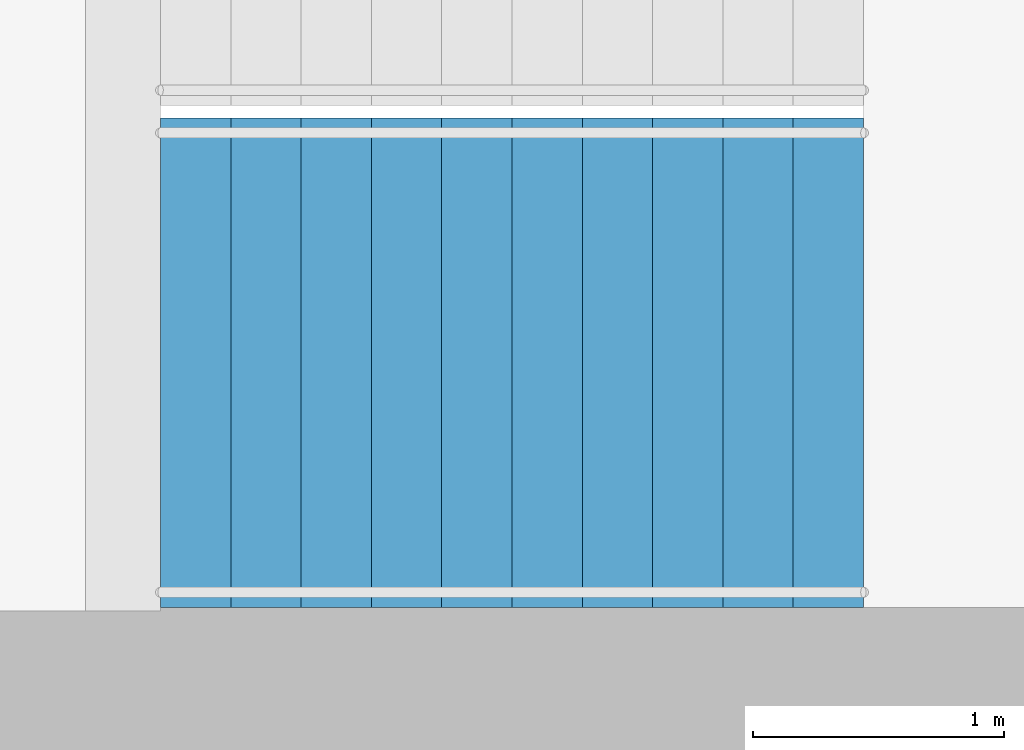
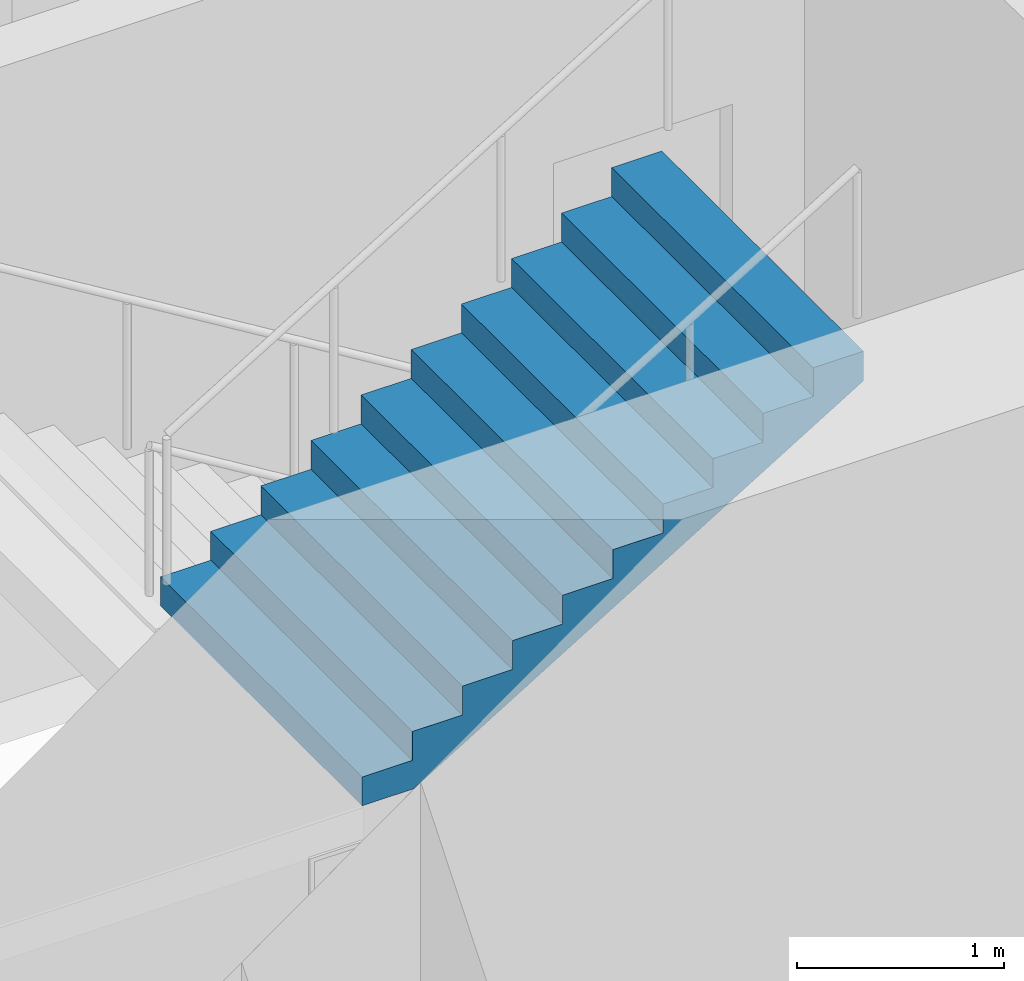
# One storey, part 21 of 23: 1 stair flight, 1 element without a shape of its own.
"""IFC4 building model written with IfcOpenShell, lengths in metres."""

from ifc_helpers import new_model, si_unit, direction, frame, origin, place, context, subcontext, project, spatial, triangles, material, type_object, element, aggregate, save


model = new_model("IFC4")

# Units and contexts
model_context = context("Model", 3, precision=1e-05, world=origin(), true_north=direction((0.0, 1.0)))
body_context = subcontext(model_context, "Body", "Model", "MODEL_VIEW")
ifc_project = project(units=[si_unit("LENGTHUNIT", "METRE"), si_unit("AREAUNIT", "SQUARE_METRE"), si_unit("VOLUMEUNIT", "CUBIC_METRE"), si_unit("PLANEANGLEUNIT", "RADIAN"), si_unit("MASSUNIT", "GRAM", prefix="KILO")], contexts=[model_context])

# Site, building, storey
site_placement = place(None, origin())
site = spatial("IfcSite", under=ifc_project, at=site_placement, CompositionType="ELEMENT")
building_placement = place(site_placement, origin())
building = spatial("IfcBuilding", under=site, at=building_placement, Name="Orbita Commons", CompositionType="ELEMENT")
storey_placement = place(building_placement, frame((0.0, 0.0, 65.199951171875)))
storey = spatial("IfcBuildingStorey", under=building, at=storey_placement, Name="L16", CompositionType="ELEMENT", Elevation=65.199951171875)

# Stair, stair flight
ifc_material_1 = material(Name="Precast concrete C40/50", Category="concrete")
stair_type = type_object("IfcStairType", Name="Exit stair S2 2 flights 11 risers 170", PredefinedType="HALF_TURN_STAIR", material=ifc_material_1)
stair_placement = place(storey_placement, origin())
stair = element("IfcStair", 1, at=stair_placement, inside=storey, type_object=stair_type, Name="Exit stair S2 L16", PredefinedType="HALF_TURN_STAIR")
ifc_material_2 = material(Name="Precast concrete C40/50", Category="concrete")
stair_flight_type = type_object("IfcStairFlightType", Name="Stair flight 11 risers 170 x 280", PredefinedType="STRAIGHT", material=ifc_material_2)
stair_flight_placement = place(storey_placement, frame((60.75, 27.27490234375, 1.875), z_axis=(0.0, 0.0, 1.0), x_axis=(1.0, 0.0, 0.0)))
stair_flight = element("IfcStairFlight", 2, at=stair_flight_placement, type_object=stair_flight_type, Name="S2 flight 2", NumberOfRisers=11, NumberOfTreads=10, PredefinedType="STRAIGHT", RiserHeight=0.170454545, TreadLength=0.28, context=body_context, shape_type="Tessellation", body=[
    triangles([(0.0, 0.974976, 0.0), (0.0, 0.974976, 0.021307), (0.0, 0.81248, 0.021307), (0.0, 0.81248, 0.0), (0.0, 0.649984, 0.021307), (0.0, 0.649984, 0.0), (0.0, 0.487488, 0.021307), (0.0, 0.487488, 0.0), (0.0, 0.324992, 0.021307), (0.0, 0.324992, 0.0), (0.0, 0.162496, 0.021307), (0.0, 0.162496, 0.0), (0.0, 0.0, 0.021307), (0.0, 0.0, 0.0), (0.0, -0.162496, 0.021307), (0.0, -0.162496, 0.0), (0.0, -0.324992, 0.021307), (0.0, -0.324992, 0.0), (0.0, -0.487488, 0.021307), (0.0, -0.487488, 0.0), (0.0, -0.649984, 0.021307), (0.0, -0.649984, 0.0), (0.0, -0.81248, 0.021307), (0.0, -0.81248, 0.0), (0.0, -0.974976, 0.021307), (0.0, -0.974976, 0.0), (0.0, 0.974976, 0.042614), (0.0, 0.81248, 0.042614), (0.0, 0.649984, 0.042614), (0.0, 0.487488, 0.042614), (0.0, 0.324992, 0.042614), (0.0, 0.162496, 0.042614), (0.0, 0.0, 0.042614), (0.0, -0.162496, 0.042614), (0.0, -0.324992, 0.042614), (0.0, -0.487488, 0.042614), (0.0, -0.649984, 0.042614), (0.0, -0.81248, 0.042614), (0.0, -0.974976, 0.042614), (0.0, 0.974976, 0.06392), (0.0, 0.81248, 0.06392), (0.0, 0.649984, 0.06392), (0.0, 0.487488, 0.06392), (0.0, 0.324992, 0.06392), (0.0, 0.162496, 0.06392), (0.0, 0.0, 0.06392), (0.0, -0.162496, 0.06392), (0.0, -0.324992, 0.06392), (0.0, -0.487488, 0.06392), (0.0, -0.649984, 0.06392), (0.0, -0.81248, 0.06392), (0.0, -0.974976, 0.06392), (0.0, 0.974976, 0.085227), (0.0, 0.81248, 0.085227), (0.0, 0.649984, 0.085227), (0.0, 0.487488, 0.085227), (0.0, 0.324992, 0.085227), (0.0, 0.162496, 0.085227), (0.0, 0.0, 0.085227), (0.0, -0.162496, 0.085227), (0.0, -0.324992, 0.085227), (0.0, -0.487488, 0.085227), (0.0, -0.649984, 0.085227), (0.0, -0.81248, 0.085227), (0.0, -0.974976, 0.085227), (0.0, 0.974976, 0.106534), (0.0, 0.81248, 0.106534), (0.0, 0.649984, 0.106534), (0.0, 0.487488, 0.106534), (0.0, 0.324992, 0.106534), (0.0, 0.162496, 0.106534), (0.0, 0.0, 0.106534), (0.0, -0.162496, 0.106534), (0.0, -0.324992, 0.106534), (0.0, -0.487488, 0.106534), (0.0, -0.649984, 0.106534), (0.0, -0.81248, 0.106534), (0.0, -0.974976, 0.106534), (0.0, 0.974976, 0.127841), (0.0, 0.81248, 0.127841), (0.0, 0.649984, 0.127841), (0.0, 0.487488, 0.127841), (0.0, 0.324992, 0.127841), (0.0, 0.162496, 0.127841), (0.0, 0.0, 0.127841), (0.0, -0.162496, 0.127841), (0.0, -0.324992, 0.127841), (0.0, -0.487488, 0.127841), (0.0, -0.649984, 0.127841), (0.0, -0.81248, 0.127841), (0.0, -0.974976, 0.127841), (0.0, 0.974976, 0.149148), (0.0, 0.81248, 0.149148), (0.0, 0.649984, 0.149148), (0.0, 0.487488, 0.149148), (0.0, 0.324992, 0.149148), (0.0, 0.162496, 0.149148), (0.0, 0.0, 0.149148), (0.0, -0.162496, 0.149148), (0.0, -0.324992, 0.149148), (0.0, -0.487488, 0.149148), (0.0, -0.649984, 0.149148), (0.0, -0.81248, 0.149148), (0.0, -0.974976, 0.149148), (0.0, 0.974976, 0.170455), (0.0, 0.81248, 0.170455), (0.0, 0.649984, 0.170455), (0.0, 0.487488, 0.170455), (0.0, 0.324992, 0.170455), (0.0, 0.162496, 0.170455), (0.0, 0.0, 0.170455), (0.0, -0.162496, 0.170455), (0.0, -0.324992, 0.170455), (0.0, -0.487488, 0.170455), (0.0, -0.649984, 0.170455), (0.0, -0.81248, 0.170455), (0.0, -0.974976, 0.170455), (0.28, 0.974976, 0.170455), (0.28, 0.81248, 0.170455), (0.28, 0.649984, 0.170455), (0.28, 0.487488, 0.170455), (0.28, 0.324992, 0.170455), (0.28, 0.162496, 0.170455), (0.28, 0.0, 0.170455), (0.28, -0.162496, 0.170455), (0.28, -0.324992, 0.170455), (0.28, -0.487488, 0.170455), (0.28, -0.649984, 0.170455), (0.28, -0.81248, 0.170455), (0.28, -0.974976, 0.170455), (0.28, 0.974976, 0.340909), (0.28, 0.81248, 0.340909), (0.28, 0.649984, 0.340909), (0.28, 0.487488, 0.340909), (0.28, 0.324992, 0.340909), (0.28, 0.162496, 0.340909), (0.28, 0.0, 0.340909), (0.28, -0.162496, 0.340909), (0.28, -0.324992, 0.340909), (0.28, -0.487488, 0.340909), (0.28, -0.649984, 0.340909), (0.28, -0.81248, 0.340909), (0.28, -0.974976, 0.340909), (0.56, 0.974976, 0.340909), (0.56, 0.81248, 0.340909), (0.56, 0.649984, 0.340909), (0.56, 0.487488, 0.340909), (0.56, 0.324992, 0.340909), (0.56, 0.162496, 0.340909), (0.56, 0.0, 0.340909), (0.56, -0.162496, 0.340909), (0.56, -0.324992, 0.340909), (0.56, -0.487488, 0.340909), (0.56, -0.649984, 0.340909), (0.56, -0.81248, 0.340909), (0.56, -0.974976, 0.340909), (0.56, 0.974976, 0.511364), (0.56, 0.81248, 0.511364), (0.56, 0.649984, 0.511364), (0.56, 0.487488, 0.511364), (0.56, 0.324992, 0.511364), (0.56, 0.162496, 0.511364), (0.56, 0.0, 0.511364), (0.56, -0.162496, 0.511364), (0.56, -0.324992, 0.511364), (0.56, -0.487488, 0.511364), (0.56, -0.649984, 0.511364), (0.56, -0.81248, 0.511364), (0.56, -0.974976, 0.511364), (0.84, 0.974976, 0.511364), (0.84, 0.81248, 0.511364), (0.84, 0.649984, 0.511364), (0.84, 0.487488, 0.511364), (0.84, 0.324992, 0.511364), (0.84, 0.162496, 0.511364), (0.84, 0.0, 0.511364), (0.84, -0.162496, 0.511364), (0.84, -0.324992, 0.511364), (0.84, -0.487488, 0.511364), (0.84, -0.649984, 0.511364), (0.84, -0.81248, 0.511364), (0.84, -0.974976, 0.511364), (0.84, 0.974976, 0.681818), (0.84, 0.81248, 0.681818), (0.84, 0.649984, 0.681818), (0.84, 0.487488, 0.681818), (0.84, 0.324992, 0.681818), (0.84, 0.162496, 0.681818), (0.84, 0.0, 0.681818), (0.84, -0.162496, 0.681818), (0.84, -0.324992, 0.681818), (0.84, -0.487488, 0.681818), (0.84, -0.649984, 0.681818), (0.84, -0.81248, 0.681818), (0.84, -0.974976, 0.681818), (1.12, 0.974976, 0.681818), (1.12, 0.81248, 0.681818), (1.12, 0.649984, 0.681818), (1.12, 0.487488, 0.681818), (1.12, 0.324992, 0.681818), (1.12, 0.162496, 0.681818), (1.12, 0.0, 0.681818), (1.12, -0.162496, 0.681818), (1.12, -0.324992, 0.681818), (1.12, -0.487488, 0.681818), (1.12, -0.649984, 0.681818), (1.12, -0.81248, 0.681818), (1.12, -0.974976, 0.681818), (1.12, 0.974976, 0.852273), (1.12, 0.81248, 0.852273), (1.12, 0.649984, 0.852273), (1.12, 0.487488, 0.852273), (1.12, 0.324992, 0.852273), (1.12, 0.162496, 0.852273), (1.12, 0.0, 0.852273), (1.12, -0.162496, 0.852273), (1.12, -0.324992, 0.852273), (1.12, -0.487488, 0.852273), (1.12, -0.649984, 0.852273), (1.12, -0.81248, 0.852273), (1.12, -0.974976, 0.852273), (1.4, 0.974976, 0.852273), (1.4, 0.81248, 0.852273), (1.4, 0.649984, 0.852273), (1.4, 0.487488, 0.852273), (1.4, 0.324992, 0.852273), (1.4, 0.162496, 0.852273), (1.4, 0.0, 0.852273), (1.4, -0.162496, 0.852273), (1.4, -0.324992, 0.852273), (1.4, -0.487488, 0.852273), (1.4, -0.649984, 0.852273), (1.4, -0.81248, 0.852273), (1.4, -0.974976, 0.852273), (1.4, 0.974976, 1.022727), (1.4, 0.81248, 1.022727), (1.4, 0.649984, 1.022727), (1.4, 0.487488, 1.022727), (1.4, 0.324992, 1.022727), (1.4, 0.162496, 1.022727), (1.4, 0.0, 1.022727), (1.4, -0.162496, 1.022727), (1.4, -0.324992, 1.022727), (1.4, -0.487488, 1.022727), (1.4, -0.649984, 1.022727), (1.4, -0.81248, 1.022727), (1.4, -0.974976, 1.022727), (1.68, 0.974976, 1.022727), (1.68, 0.81248, 1.022727), (1.68, 0.649984, 1.022727), (1.68, 0.487488, 1.022727), (1.68, 0.324992, 1.022727), (1.68, 0.162496, 1.022727), (1.68, 0.0, 1.022727), (1.68, -0.162496, 1.022727), (1.68, -0.324992, 1.022727), (1.68, -0.487488, 1.022727), (1.68, -0.649984, 1.022727), (1.68, -0.81248, 1.022727), (1.68, -0.974976, 1.022727), (1.68, 0.974976, 1.193182), (1.68, 0.81248, 1.193182), (1.68, 0.649984, 1.193182), (1.68, 0.487488, 1.193182), (1.68, 0.324992, 1.193182), (1.68, 0.162496, 1.193182), (1.68, 0.0, 1.193182), (1.68, -0.162496, 1.193182), (1.68, -0.324992, 1.193182), (1.68, -0.487488, 1.193182), (1.68, -0.649984, 1.193182), (1.68, -0.81248, 1.193182), (1.68, -0.974976, 1.193182), (1.96, 0.974976, 1.193182), (1.96, 0.81248, 1.193182), (1.96, 0.649984, 1.193182), (1.96, 0.487488, 1.193182), (1.96, 0.324992, 1.193182), (1.96, 0.162496, 1.193182), (1.96, 0.0, 1.193182), (1.96, -0.162496, 1.193182), (1.96, -0.324992, 1.193182), (1.96, -0.487488, 1.193182), (1.96, -0.649984, 1.193182), (1.96, -0.81248, 1.193182), (1.96, -0.974976, 1.193182), (1.96, 0.974976, 1.363636), (1.96, 0.81248, 1.363636), (1.96, 0.649984, 1.363636), (1.96, 0.487488, 1.363636), (1.96, 0.324992, 1.363636), (1.96, 0.162496, 1.363636), (1.96, 0.0, 1.363636), (1.96, -0.162496, 1.363636), (1.96, -0.324992, 1.363636), (1.96, -0.487488, 1.363636), (1.96, -0.649984, 1.363636), (1.96, -0.81248, 1.363636), (1.96, -0.974976, 1.363636), (2.24, 0.974976, 1.363636), (2.24, 0.81248, 1.363636), (2.24, 0.649984, 1.363636), (2.24, 0.487488, 1.363636), (2.24, 0.324992, 1.363636), (2.24, 0.162496, 1.363636), (2.24, 0.0, 1.363636), (2.24, -0.162496, 1.363636), (2.24, -0.324992, 1.363636), (2.24, -0.487488, 1.363636), (2.24, -0.649984, 1.363636), (2.24, -0.81248, 1.363636), (2.24, -0.974976, 1.363636), (2.24, 0.974976, 1.534091), (2.24, 0.81248, 1.534091), (2.24, 0.649984, 1.534091), (2.24, 0.487488, 1.534091), (2.24, 0.324992, 1.534091), (2.24, 0.162496, 1.534091), (2.24, 0.0, 1.534091), (2.24, -0.162496, 1.534091), (2.24, -0.324992, 1.534091), (2.24, -0.487488, 1.534091), (2.24, -0.649984, 1.534091), (2.24, -0.81248, 1.534091), (2.24, -0.974976, 1.534091), (2.52, 0.974976, 1.534091), (2.52, 0.81248, 1.534091), (2.52, 0.649984, 1.534091), (2.52, 0.487488, 1.534091), (2.52, 0.324992, 1.534091), (2.52, 0.162496, 1.534091), (2.52, 0.0, 1.534091), (2.52, -0.162496, 1.534091), (2.52, -0.324992, 1.534091), (2.52, -0.487488, 1.534091), (2.52, -0.649984, 1.534091), (2.52, -0.81248, 1.534091), (2.52, -0.974976, 1.534091), (2.52, 0.974976, 1.704545), (2.52, 0.81248, 1.704545), (2.52, 0.649984, 1.704545), (2.52, 0.487488, 1.704545), (2.52, 0.324992, 1.704545), (2.52, 0.162496, 1.704545), (2.52, 0.0, 1.704545), (2.52, -0.162496, 1.704545), (2.52, -0.324992, 1.704545), (2.52, -0.487488, 1.704545), (2.52, -0.649984, 1.704545), (2.52, -0.81248, 1.704545), (2.52, -0.974976, 1.704545), (2.8, 0.974976, 1.704545), (2.8, 0.81248, 1.704545), (2.8, 0.649984, 1.704545), (2.8, 0.487488, 1.704545), (2.8, 0.324992, 1.704545), (2.8, 0.162496, 1.704545), (2.8, 0.0, 1.704545), (2.8, -0.162496, 1.704545), (2.8, -0.324992, 1.704545), (2.8, -0.487488, 1.704545), (2.8, -0.649984, 1.704545), (2.8, -0.81248, 1.704545), (2.8, -0.974976, 1.704545), (2.8, 0.974976, 1.682609), (2.8, 0.81248, 1.682609), (2.8, 0.649984, 1.682609), (2.8, 0.487488, 1.682609), (2.8, 0.324992, 1.682609), (2.8, 0.162496, 1.682609), (2.8, 0.0, 1.682609), (2.8, -0.162496, 1.682609), (2.8, -0.324992, 1.682609), (2.8, -0.487488, 1.682609), (2.8, -0.649984, 1.682609), (2.8, -0.81248, 1.682609), (2.8, -0.974976, 1.682609), (2.8, 0.974976, 1.660672), (2.8, 0.81248, 1.660672), (2.8, 0.649984, 1.660672), (2.8, 0.487488, 1.660672), (2.8, 0.324992, 1.660672), (2.8, 0.162496, 1.660672), (2.8, 0.0, 1.660672), (2.8, -0.162496, 1.660672), (2.8, -0.324992, 1.660672), (2.8, -0.487488, 1.660672), (2.8, -0.649984, 1.660672), (2.8, -0.81248, 1.660672), (2.8, -0.974976, 1.660672), (2.8, 0.974976, 1.638735), (2.8, 0.81248, 1.638735), (2.8, 0.649984, 1.638735), (2.8, 0.487488, 1.638735), (2.8, 0.324992, 1.638735), (2.8, 0.162496, 1.638735), (2.8, 0.0, 1.638735), (2.8, -0.162496, 1.638735), (2.8, -0.324992, 1.638735), (2.8, -0.487488, 1.638735), (2.8, -0.649984, 1.638735), (2.8, -0.81248, 1.638735), (2.8, -0.974976, 1.638735), (2.8, 0.974976, 1.616798), (2.8, 0.81248, 1.616798), (2.8, 0.649984, 1.616798), (2.8, 0.487488, 1.616798), (2.8, 0.324992, 1.616798), (2.8, 0.162496, 1.616798), (2.8, 0.0, 1.616798), (2.8, -0.162496, 1.616798), (2.8, -0.324992, 1.616798), (2.8, -0.487488, 1.616798), (2.8, -0.649984, 1.616798), (2.8, -0.81248, 1.616798), (2.8, -0.974976, 1.616798), (2.8, 0.974976, 1.594861), (2.8, 0.81248, 1.594861), (2.8, 0.649984, 1.594861), (2.8, 0.487488, 1.594861), (2.8, 0.324992, 1.594861), (2.8, 0.162496, 1.594861), (2.8, 0.0, 1.594861), (2.8, -0.162496, 1.594861), (2.8, -0.324992, 1.594861), (2.8, -0.487488, 1.594861), (2.8, -0.649984, 1.594861), (2.8, -0.81248, 1.594861), (2.8, -0.974976, 1.594861), (2.8, 0.974976, 1.572925), (2.8, 0.81248, 1.572925), (2.8, 0.649984, 1.572925), (2.8, 0.487488, 1.572925), (2.8, 0.324992, 1.572925), (2.8, 0.162496, 1.572925), (2.8, 0.0, 1.572925), (2.8, -0.162496, 1.572925), (2.8, -0.324992, 1.572925), (2.8, -0.487488, 1.572925), (2.8, -0.649984, 1.572925), (2.8, -0.81248, 1.572925), (2.8, -0.974976, 1.572925), (2.8, 0.974976, 1.550988), (2.8, 0.81248, 1.550988), (2.8, 0.649984, 1.550988), (2.8, 0.487488, 1.550988), (2.8, 0.324992, 1.550988), (2.8, 0.162496, 1.550988), (2.8, 0.0, 1.550988), (2.8, -0.162496, 1.550988), (2.8, -0.324992, 1.550988), (2.8, -0.487488, 1.550988), (2.8, -0.649984, 1.550988), (2.8, -0.81248, 1.550988), (2.8, -0.974976, 1.550988), (2.8, 0.974976, 1.529051), (2.8, 0.81248, 1.529051), (2.8, 0.649984, 1.529051), (2.8, 0.487488, 1.529051), (2.8, 0.324992, 1.529051), (2.8, 0.162496, 1.529051), (2.8, 0.0, 1.529051), (2.8, -0.162496, 1.529051), (2.8, -0.324992, 1.529051), (2.8, -0.487488, 1.529051), (2.8, -0.649984, 1.529051), (2.8, -0.81248, 1.529051), (2.8, -0.974976, 1.529051), (0.288279, 0.974976, 0.0), (0.288279, 0.81248, 0.0), (0.288279, 0.649984, 0.0), (0.288279, 0.487488, 0.0), (0.288279, 0.324992, 0.0), (0.288279, 0.162496, 0.0), (0.288279, 0.0, 0.0), (0.288279, -0.162496, 0.0), (0.288279, -0.324992, 0.0), (0.288279, -0.487488, 0.0), (0.288279, -0.649984, 0.0), (0.288279, -0.81248, 0.0), (0.288279, -0.974976, 0.0)], [[3, 2, 1], [4, 3, 1], [5, 3, 4], [6, 5, 4], [7, 5, 6], [8, 7, 6], [9, 7, 8], [10, 9, 8], [11, 9, 10], [12, 11, 10], [13, 11, 12], [14, 13, 12], [15, 13, 14], [16, 15, 14], [17, 15, 16], [18, 17, 16], [19, 17, 18], [20, 19, 18], [21, 19, 20], [22, 21, 20], [23, 21, 22], [24, 23, 22], [25, 23, 24], [26, 25, 24], [28, 27, 2], [3, 28, 2], [29, 28, 3], [5, 29, 3], [30, 29, 5], [7, 30, 5], [31, 30, 7], [9, 31, 7], [32, 31, 9], [11, 32, 9], [33, 32, 11], [13, 33, 11], [34, 33, 13], [15, 34, 13], [35, 34, 15], [17, 35, 15], [36, 35, 17], [19, 36, 17], [37, 36, 19], [21, 37, 19], [38, 37, 21], [23, 38, 21], [39, 38, 23], [25, 39, 23], [41, 40, 27], [28, 41, 27], [42, 41, 28], [29, 42, 28], [43, 42, 29], [30, 43, 29], [44, 43, 30], [31, 44, 30], [45, 44, 31], [32, 45, 31], [46, 45, 32], [33, 46, 32], [47, 46, 33], [34, 47, 33], [48, 47, 34], [35, 48, 34], [49, 48, 35], [36, 49, 35], [50, 49, 36], [37, 50, 36], [51, 50, 37], [38, 51, 37], [52, 51, 38], [39, 52, 38], [54, 53, 40], [41, 54, 40], [55, 54, 41], [42, 55, 41], [56, 55, 42], [43, 56, 42], [57, 56, 43], [44, 57, 43], [58, 57, 44], [45, 58, 44], [59, 58, 45], [46, 59, 45], [60, 59, 46], [47, 60, 46], [61, 60, 47], [48, 61, 47], [62, 61, 48], [49, 62, 48], [63, 62, 49], [50, 63, 49], [64, 63, 50], [51, 64, 50], [65, 64, 51], [52, 65, 51], [67, 66, 53], [54, 67, 53], [68, 67, 54], [55, 68, 54], [69, 68, 55], [56, 69, 55], [70, 69, 56], [57, 70, 56], [71, 70, 57], [58, 71, 57], [72, 71, 58], [59, 72, 58], [73, 72, 59], [60, 73, 59], [74, 73, 60], [61, 74, 60], [75, 74, 61], [62, 75, 61], [76, 75, 62], [63, 76, 62], [77, 76, 63], [64, 77, 63], [78, 77, 64], [65, 78, 64], [80, 79, 66], [67, 80, 66], [81, 80, 67], [68, 81, 67], [82, 81, 68], [69, 82, 68], [83, 82, 69], [70, 83, 69], [84, 83, 70], [71, 84, 70], [85, 84, 71], [72, 85, 71], [86, 85, 72], [73, 86, 72], [87, 86, 73], [74, 87, 73], [88, 87, 74], [75, 88, 74], [89, 88, 75], [76, 89, 75], [90, 89, 76], [77, 90, 76], [91, 90, 77], [78, 91, 77], [93, 92, 79], [80, 93, 79], [94, 93, 80], [81, 94, 80], [95, 94, 81], [82, 95, 81], [96, 95, 82], [83, 96, 82], [97, 96, 83], [84, 97, 83], [98, 97, 84], [85, 98, 84], [99, 98, 85], [86, 99, 85], [100, 99, 86], [87, 100, 86], [101, 100, 87], [88, 101, 87], [102, 101, 88], [89, 102, 88], [103, 102, 89], [90, 103, 89], [104, 103, 90], [91, 104, 90], [106, 105, 92], [93, 106, 92], [107, 106, 93], [94, 107, 93], [108, 107, 94], [95, 108, 94], [109, 108, 95], [96, 109, 95], [110, 109, 96], [97, 110, 96], [111, 110, 97], [98, 111, 97], [112, 111, 98], [99, 112, 98], [113, 112, 99], [100, 113, 99], [114, 113, 100], [101, 114, 100], [115, 114, 101], [102, 115, 101], [116, 115, 102], [103, 116, 102], [117, 116, 103], [104, 117, 103], [119, 118, 105], [106, 119, 105], [120, 119, 106], [107, 120, 106], [121, 120, 107], [108, 121, 107], [122, 121, 108], [109, 122, 108], [123, 122, 109], [110, 123, 109], [124, 123, 110], [111, 124, 110], [125, 124, 111], [112, 125, 111], [126, 125, 112], [113, 126, 112], [127, 126, 113], [114, 127, 113], [128, 127, 114], [115, 128, 114], [129, 128, 115], [116, 129, 115], [130, 129, 116], [117, 130, 116], [132, 131, 118], [119, 132, 118], [133, 132, 119], [120, 133, 119], [134, 133, 120], [121, 134, 120], [135, 134, 121], [122, 135, 121], [136, 135, 122], [123, 136, 122], [137, 136, 123], [124, 137, 123], [138, 137, 124], [125, 138, 124], [139, 138, 125], [126, 139, 125], [140, 139, 126], [127, 140, 126], [141, 140, 127], [128, 141, 127], [142, 141, 128], [129, 142, 128], [143, 142, 129], [130, 143, 129], [145, 144, 131], [132, 145, 131], [146, 145, 132], [133, 146, 132], [147, 146, 133], [134, 147, 133], [148, 147, 134], [135, 148, 134], [149, 148, 135], [136, 149, 135], [150, 149, 136], [137, 150, 136], [151, 150, 137], [138, 151, 137], [152, 151, 138], [139, 152, 138], [153, 152, 139], [140, 153, 139], [154, 153, 140], [141, 154, 140], [155, 154, 141], [142, 155, 141], [156, 155, 142], [143, 156, 142], [158, 157, 144], [145, 158, 144], [159, 158, 145], [146, 159, 145], [160, 159, 146], [147, 160, 146], [161, 160, 147], [148, 161, 147], [162, 161, 148], [149, 162, 148], [163, 162, 149], [150, 163, 149], [164, 163, 150], [151, 164, 150], [165, 164, 151], [152, 165, 151], [166, 165, 152], [153, 166, 152], [167, 166, 153], [154, 167, 153], [168, 167, 154], [155, 168, 154], [169, 168, 155], [156, 169, 155], [171, 170, 157], [158, 171, 157], [172, 171, 158], [159, 172, 158], [173, 172, 159], [160, 173, 159], [174, 173, 160], [161, 174, 160], [175, 174, 161], [162, 175, 161], [176, 175, 162], [163, 176, 162], [177, 176, 163], [164, 177, 163], [178, 177, 164], [165, 178, 164], [179, 178, 165], [166, 179, 165], [180, 179, 166], [167, 180, 166], [181, 180, 167], [168, 181, 167], [182, 181, 168], [169, 182, 168], [184, 183, 170], [171, 184, 170], [185, 184, 171], [172, 185, 171], [186, 185, 172], [173, 186, 172], [187, 186, 173], [174, 187, 173], [188, 187, 174], [175, 188, 174], [189, 188, 175], [176, 189, 175], [190, 189, 176], [177, 190, 176], [191, 190, 177], [178, 191, 177], [192, 191, 178], [179, 192, 178], [193, 192, 179], [180, 193, 179], [194, 193, 180], [181, 194, 180], [195, 194, 181], [182, 195, 181], [197, 196, 183], [184, 197, 183], [198, 197, 184], [185, 198, 184], [199, 198, 185], [186, 199, 185], [200, 199, 186], [187, 200, 186], [201, 200, 187], [188, 201, 187], [202, 201, 188], [189, 202, 188], [203, 202, 189], [190, 203, 189], [204, 203, 190], [191, 204, 190], [205, 204, 191], [192, 205, 191], [206, 205, 192], [193, 206, 192], [207, 206, 193], [194, 207, 193], [208, 207, 194], [195, 208, 194], [210, 209, 196], [197, 210, 196], [211, 210, 197], [198, 211, 197], [212, 211, 198], [199, 212, 198], [213, 212, 199], [200, 213, 199], [214, 213, 200], [201, 214, 200], [215, 214, 201], [202, 215, 201], [216, 215, 202], [203, 216, 202], [217, 216, 203], [204, 217, 203], [218, 217, 204], [205, 218, 204], [219, 218, 205], [206, 219, 205], [220, 219, 206], [207, 220, 206], [221, 220, 207], [208, 221, 207], [223, 222, 209], [210, 223, 209], [224, 223, 210], [211, 224, 210], [225, 224, 211], [212, 225, 211], [226, 225, 212], [213, 226, 212], [227, 226, 213], [214, 227, 213], [228, 227, 214], [215, 228, 214], [229, 228, 215], [216, 229, 215], [230, 229, 216], [217, 230, 216], [231, 230, 217], [218, 231, 217], [232, 231, 218], [219, 232, 218], [233, 232, 219], [220, 233, 219], [234, 233, 220], [221, 234, 220], [236, 235, 222], [223, 236, 222], [237, 236, 223], [224, 237, 223], [238, 237, 224], [225, 238, 224], [239, 238, 225], [226, 239, 225], [240, 239, 226], [227, 240, 226], [241, 240, 227], [228, 241, 227], [242, 241, 228], [229, 242, 228], [243, 242, 229], [230, 243, 229], [244, 243, 230], [231, 244, 230], [245, 244, 231], [232, 245, 231], [246, 245, 232], [233, 246, 232], [247, 246, 233], [234, 247, 233], [249, 248, 235], [236, 249, 235], [250, 249, 236], [237, 250, 236], [251, 250, 237], [238, 251, 237], [252, 251, 238], [239, 252, 238], [253, 252, 239], [240, 253, 239], [254, 253, 240], [241, 254, 240], [255, 254, 241], [242, 255, 241], [256, 255, 242], [243, 256, 242], [257, 256, 243], [244, 257, 243], [258, 257, 244], [245, 258, 244], [259, 258, 245], [246, 259, 245], [260, 259, 246], [247, 260, 246], [262, 261, 248], [249, 262, 248], [263, 262, 249], [250, 263, 249], [264, 263, 250], [251, 264, 250], [265, 264, 251], [252, 265, 251], [266, 265, 252], [253, 266, 252], [267, 266, 253], [254, 267, 253], [268, 267, 254], [255, 268, 254], [269, 268, 255], [256, 269, 255], [270, 269, 256], [257, 270, 256], [271, 270, 257], [258, 271, 257], [272, 271, 258], [259, 272, 258], [273, 272, 259], [260, 273, 259], [275, 274, 261], [262, 275, 261], [276, 275, 262], [263, 276, 262], [277, 276, 263], [264, 277, 263], [278, 277, 264], [265, 278, 264], [279, 278, 265], [266, 279, 265], [280, 279, 266], [267, 280, 266], [281, 280, 267], [268, 281, 267], [282, 281, 268], [269, 282, 268], [283, 282, 269], [270, 283, 269], [284, 283, 270], [271, 284, 270], [285, 284, 271], [272, 285, 271], [286, 285, 272], [273, 286, 272], [288, 287, 274], [275, 288, 274], [289, 288, 275], [276, 289, 275], [290, 289, 276], [277, 290, 276], [291, 290, 277], [278, 291, 277], [292, 291, 278], [279, 292, 278], [293, 292, 279], [280, 293, 279], [294, 293, 280], [281, 294, 280], [295, 294, 281], [282, 295, 281], [296, 295, 282], [283, 296, 282], [297, 296, 283], [284, 297, 283], [298, 297, 284], [285, 298, 284], [299, 298, 285], [286, 299, 285], [301, 300, 287], [288, 301, 287], [302, 301, 288], [289, 302, 288], [303, 302, 289], [290, 303, 289], [304, 303, 290], [291, 304, 290], [305, 304, 291], [292, 305, 291], [306, 305, 292], [293, 306, 292], [307, 306, 293], [294, 307, 293], [308, 307, 294], [295, 308, 294], [309, 308, 295], [296, 309, 295], [310, 309, 296], [297, 310, 296], [311, 310, 297], [298, 311, 297], [312, 311, 298], [299, 312, 298], [314, 313, 300], [301, 314, 300], [315, 314, 301], [302, 315, 301], [316, 315, 302], [303, 316, 302], [317, 316, 303], [304, 317, 303], [318, 317, 304], [305, 318, 304], [319, 318, 305], [306, 319, 305], [320, 319, 306], [307, 320, 306], [321, 320, 307], [308, 321, 307], [322, 321, 308], [309, 322, 308], [323, 322, 309], [310, 323, 309], [324, 323, 310], [311, 324, 310], [325, 324, 311], [312, 325, 311], [327, 326, 313], [314, 327, 313], [328, 327, 314], [315, 328, 314], [329, 328, 315], [316, 329, 315], [330, 329, 316], [317, 330, 316], [331, 330, 317], [318, 331, 317], [332, 331, 318], [319, 332, 318], [333, 332, 319], [320, 333, 319], [334, 333, 320], [321, 334, 320], [335, 334, 321], [322, 335, 321], [336, 335, 322], [323, 336, 322], [337, 336, 323], [324, 337, 323], [338, 337, 324], [325, 338, 324], [340, 339, 326], [327, 340, 326], [341, 340, 327], [328, 341, 327], [342, 341, 328], [329, 342, 328], [343, 342, 329], [330, 343, 329], [344, 343, 330], [331, 344, 330], [345, 344, 331], [332, 345, 331], [346, 345, 332], [333, 346, 332], [347, 346, 333], [334, 347, 333], [348, 347, 334], [335, 348, 334], [349, 348, 335], [336, 349, 335], [350, 349, 336], [337, 350, 336], [351, 350, 337], [338, 351, 337], [353, 352, 339], [340, 353, 339], [354, 353, 340], [341, 354, 340], [355, 354, 341], [342, 355, 341], [356, 355, 342], [343, 356, 342], [357, 356, 343], [344, 357, 343], [358, 357, 344], [345, 358, 344], [359, 358, 345], [346, 359, 345], [360, 359, 346], [347, 360, 346], [361, 360, 347], [348, 361, 347], [362, 361, 348], [349, 362, 348], [363, 362, 349], [350, 363, 349], [364, 363, 350], [351, 364, 350], [366, 365, 352], [353, 366, 352], [367, 366, 353], [354, 367, 353], [368, 367, 354], [355, 368, 354], [369, 368, 355], [356, 369, 355], [370, 369, 356], [357, 370, 356], [371, 370, 357], [358, 371, 357], [372, 371, 358], [359, 372, 358], [373, 372, 359], [360, 373, 359], [374, 373, 360], [361, 374, 360], [375, 374, 361], [362, 375, 361], [376, 375, 362], [363, 376, 362], [377, 376, 363], [364, 377, 363], [379, 378, 365], [366, 379, 365], [380, 379, 366], [367, 380, 366], [381, 380, 367], [368, 381, 367], [382, 381, 368], [369, 382, 368], [383, 382, 369], [370, 383, 369], [384, 383, 370], [371, 384, 370], [385, 384, 371], [372, 385, 371], [386, 385, 372], [373, 386, 372], [387, 386, 373], [374, 387, 373], [388, 387, 374], [375, 388, 374], [389, 388, 375], [376, 389, 375], [390, 389, 376], [377, 390, 376], [392, 391, 378], [379, 392, 378], [393, 392, 379], [380, 393, 379], [394, 393, 380], [381, 394, 380], [395, 394, 381], [382, 395, 381], [396, 395, 382], [383, 396, 382], [397, 396, 383], [384, 397, 383], [398, 397, 384], [385, 398, 384], [399, 398, 385], [386, 399, 385], [400, 399, 386], [387, 400, 386], [401, 400, 387], [388, 401, 387], [402, 401, 388], [389, 402, 388], [403, 402, 389], [390, 403, 389], [405, 404, 391], [392, 405, 391], [406, 405, 392], [393, 406, 392], [407, 406, 393], [394, 407, 393], [408, 407, 394], [395, 408, 394], [409, 408, 395], [396, 409, 395], [410, 409, 396], [397, 410, 396], [411, 410, 397], [398, 411, 397], [412, 411, 398], [399, 412, 398], [413, 412, 399], [400, 413, 399], [414, 413, 400], [401, 414, 400], [415, 414, 401], [402, 415, 401], [416, 415, 402], [403, 416, 402], [418, 417, 404], [405, 418, 404], [419, 418, 405], [406, 419, 405], [420, 419, 406], [407, 420, 406], [421, 420, 407], [408, 421, 407], [422, 421, 408], [409, 422, 408], [423, 422, 409], [410, 423, 409], [424, 423, 410], [411, 424, 410], [425, 424, 411], [412, 425, 411], [426, 425, 412], [413, 426, 412], [427, 426, 413], [414, 427, 413], [428, 427, 414], [415, 428, 414], [429, 428, 415], [416, 429, 415], [431, 430, 417], [418, 431, 417], [432, 431, 418], [419, 432, 418], [433, 432, 419], [420, 433, 419], [434, 433, 420], [421, 434, 420], [435, 434, 421], [422, 435, 421], [436, 435, 422], [423, 436, 422], [437, 436, 423], [424, 437, 423], [438, 437, 424], [425, 438, 424], [439, 438, 425], [426, 439, 425], [440, 439, 426], [427, 440, 426], [441, 440, 427], [428, 441, 427], [442, 441, 428], [429, 442, 428], [444, 443, 430], [431, 444, 430], [445, 444, 431], [432, 445, 431], [446, 445, 432], [433, 446, 432], [447, 446, 433], [434, 447, 433], [448, 447, 434], [435, 448, 434], [449, 448, 435], [436, 449, 435], [450, 449, 436], [437, 450, 436], [451, 450, 437], [438, 451, 437], [452, 451, 438], [439, 452, 438], [453, 452, 439], [440, 453, 439], [454, 453, 440], [441, 454, 440], [455, 454, 441], [442, 455, 441], [457, 456, 443], [444, 457, 443], [458, 457, 444], [445, 458, 444], [459, 458, 445], [446, 459, 445], [460, 459, 446], [447, 460, 446], [461, 460, 447], [448, 461, 447], [462, 461, 448], [449, 462, 448], [463, 462, 449], [450, 463, 449], [464, 463, 450], [451, 464, 450], [465, 464, 451], [452, 465, 451], [466, 465, 452], [453, 466, 452], [467, 466, 453], [454, 467, 453], [468, 467, 454], [455, 468, 454], [470, 469, 456], [457, 470, 456], [471, 470, 457], [458, 471, 457], [472, 471, 458], [459, 472, 458], [473, 472, 459], [460, 473, 459], [474, 473, 460], [461, 474, 460], [475, 474, 461], [462, 475, 461], [476, 475, 462], [463, 476, 462], [477, 476, 463], [464, 477, 463], [478, 477, 464], [465, 478, 464], [479, 478, 465], [466, 479, 465], [480, 479, 466], [467, 480, 466], [481, 480, 467], [468, 481, 467], [4, 1, 469], [470, 4, 469], [6, 4, 470], [471, 6, 470], [8, 6, 471], [472, 8, 471], [10, 8, 472], [473, 10, 472], [12, 10, 473], [474, 12, 473], [14, 12, 474], [475, 14, 474], [16, 14, 475], [476, 16, 475], [18, 16, 476], [477, 18, 476], [20, 18, 477], [478, 20, 477], [22, 20, 478], [479, 22, 478], [24, 22, 479], [480, 24, 479], [26, 24, 480], [481, 26, 480], [456, 469, 1], [26, 481, 468], [443, 456, 1], [26, 468, 455], [430, 443, 1], [26, 455, 442], [417, 430, 1], [26, 442, 429], [404, 417, 1], [26, 429, 416], [391, 404, 1], [26, 416, 403], [378, 391, 1], [26, 403, 390], [365, 378, 1], [26, 390, 377], [339, 352, 365], [377, 364, 351], [326, 339, 365], [377, 351, 338], [300, 313, 326], [338, 325, 312], [300, 326, 365], [377, 338, 312], [274, 287, 300], [312, 299, 286], [274, 300, 365], [377, 312, 286], [248, 261, 274], [286, 273, 260], [248, 274, 365], [377, 286, 260], [222, 235, 248], [260, 247, 234], [222, 248, 365], [377, 260, 234], [196, 209, 222], [234, 221, 208], [196, 222, 365], [377, 234, 208], [170, 183, 196], [208, 195, 182], [170, 196, 365], [377, 208, 182], [144, 157, 170], [182, 169, 156], [144, 170, 365], [377, 182, 156], [118, 131, 144], [156, 143, 130], [118, 144, 365], [377, 156, 130], [118, 365, 1], [26, 377, 130], [92, 105, 118], [130, 117, 104], [79, 92, 118], [130, 104, 91], [66, 79, 118], [130, 91, 78], [53, 66, 118], [130, 78, 65], [40, 53, 118], [130, 65, 52], [27, 40, 118], [130, 52, 39], [2, 27, 118], [130, 39, 25], [1, 2, 118], [130, 25, 26]], closed=True),
])
aggregate(stair, [stair_flight])

save(model, "model.ifc")
